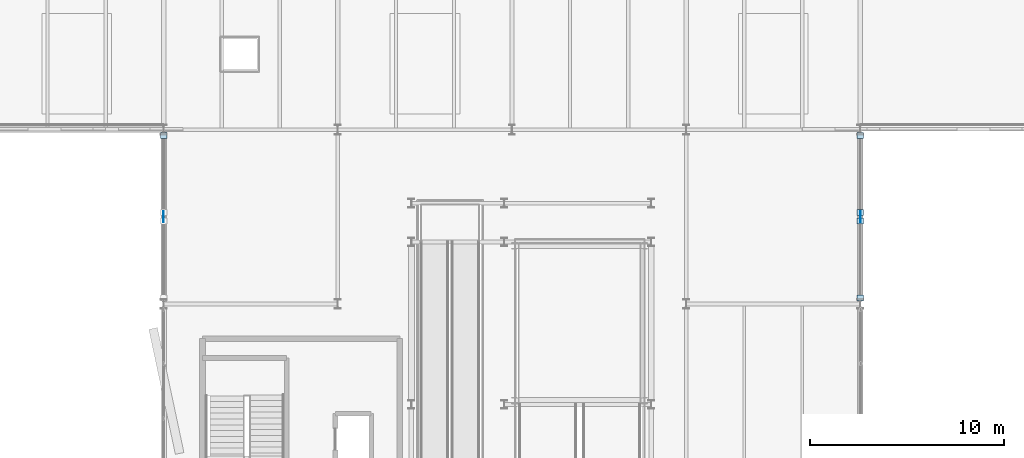
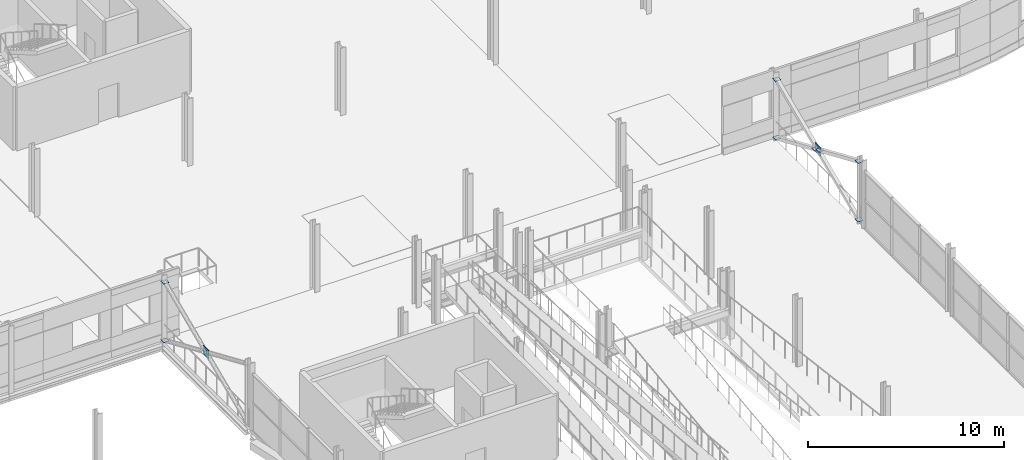
# One storey, part 108 of 132: 10 plates.
"""IFC4 building model written with IfcOpenShell, lengths in metres."""

from ifc_helpers import new_model, si_unit, direction, frame, origin, origin_2d, place, context, subcontext, project, spatial, rectangle, extrude, material, layer, layer_set, type_object, element, save


model = new_model("IFC4")

# Units and contexts
model_context = context("Model", 3, precision=1e-05, world=origin(), true_north=direction((0.0, 1.0)))
body_context = subcontext(model_context, "Body", "Model", "MODEL_VIEW")
ifc_project = project(units=[si_unit("LENGTHUNIT", "METRE"), si_unit("AREAUNIT", "SQUARE_METRE"), si_unit("VOLUMEUNIT", "CUBIC_METRE"), si_unit("PLANEANGLEUNIT", "RADIAN"), si_unit("MASSUNIT", "GRAM", prefix="KILO")], contexts=[model_context])

# Site, building, storey
site_placement = place(None, origin())
site = spatial("IfcSite", under=ifc_project, at=site_placement, CompositionType="ELEMENT")
building_placement = place(site_placement, origin())
building = spatial("IfcBuilding", under=site, at=building_placement, Name="Deido Ridge Mobility Hub", CompositionType="ELEMENT")
storey_placement = place(building_placement, frame((0.0, 0.0, 8.39990234375)))
storey = spatial("IfcBuildingStorey", under=building, at=storey_placement, Name="L02", CompositionType="ELEMENT", Elevation=8.39990234375)

# Plates
ifc_material = material(Name="Steel S355J2 EN 10025-2", Category="steel")
ifc_layer_1 = layer(ifc_material, 0.02197265625, Name="Steel S355J2 EN 10025-2")
ifc_layer_set_1 = layer_set([ifc_layer_1], Name="Steel S355J2 EN 10025-2")
plate_type_1 = type_object("IfcPlateType", Name="PLT-CAP-22", PredefinedType="USERDEFINED", material=ifc_layer_set_1)
for number, where, z_axis, x_axis, name in (
    (1, (72.0, 80.699951171875, 3.80908203125), (0.0, 0.0, 1.0), (1.0, 0.0, 0.0), "Brace sealed end-cap plate EC2 51"),
    (2, (72.0, 80.699951171875, 0.169189453125), (0.0, 0.0, 1.0), (1.0, 0.0, 0.0), "Brace sealed end-cap plate EC2 52"),
    (3, (108.0, 72.300048828125, 0.169189453125), (0.0, 0.0, 1.0), (1.0, 0.0, 0.0), "Brace sealed end-cap plate EC2 78"),
    (4, (108.0, 80.699951171875, 3.80908203125), (0.0, 0.0, 1.0), (1.0, 0.0, 0.0), "Brace sealed end-cap plate EC2 79"),
    (5, (108.0, 80.699951171875, 0.169189453125), (0.0, 0.0, 1.0), (1.0, 0.0, 0.0), "Brace sealed end-cap plate EC2 80"),
    (6, (108.0, 72.300048828125, 3.80908203125), (0.0, 0.0, 1.0), (1.0, 0.0, 0.0), "Brace sealed end-cap plate EC2 81"),
    (7, (108.0, 76.72021484375, 1.893798828125), (0.0, 0.0, 1.0), (1.0, 0.0, 0.0), "Brace sealed end-cap plate EC2 82"),
    (8, (108.0, 76.27978515625, 2.08447265625), (0.0, 0.0, 1.0), (1.0, 0.0, 0.0), "Brace sealed end-cap plate EC2 83"),
):
    element("IfcPlate", number, at=place(storey_placement, frame(where, z_axis=z_axis, x_axis=x_axis)), inside=storey, type_object=plate_type_1, Name=name, ObjectType="END CAP PLATE", PredefinedType="USERDEFINED", context=body_context, shape_type="SweptSolid", body=[
        extrude(rectangle(XDim=0.320068359375, YDim=0.320068359375, at=origin_2d()), origin(), (0.0, 0.0, 1.0), 0.02197265625),
    ])
ifc_layer_2 = layer(ifc_material, 0.028076171875, Name="Steel S355J2 EN 10025-2")
ifc_layer_set_2 = layer_set([ifc_layer_2], Name="Steel S355J2 EN 10025-2")
plate_type_2 = type_object("IfcPlateType", Name="PLT-GUS-28", PredefinedType="USERDEFINED", material=ifc_layer_set_2)
for number, where, z_axis, x_axis, name in (
    (9, (72.0, 76.5, 1.719970703125), (0.0, 0.0, 1.0), (0.0, 1.0, 0.0), "X-brace central crossing gusset plate GP3 56"),
    (10, (108.0, 76.5, 1.719970703125), (0.0, 0.0, 1.0), (0.0, 1.0, 0.0), "X-brace central crossing gusset plate GP3 84"),
):
    element("IfcPlate", number, at=place(storey_placement, frame(where, z_axis=z_axis, x_axis=x_axis)), inside=storey, type_object=plate_type_2, Name=name, ObjectType="GUSSET PLATE", PredefinedType="USERDEFINED", context=body_context, shape_type="SweptSolid", body=[
        extrude(rectangle(XDim=0.56005859375, YDim=0.028076171875, at=origin_2d()), origin(), (0.0, 0.0, 1.0), 0.56005859375),
    ])

save(model, "model.ifc")
